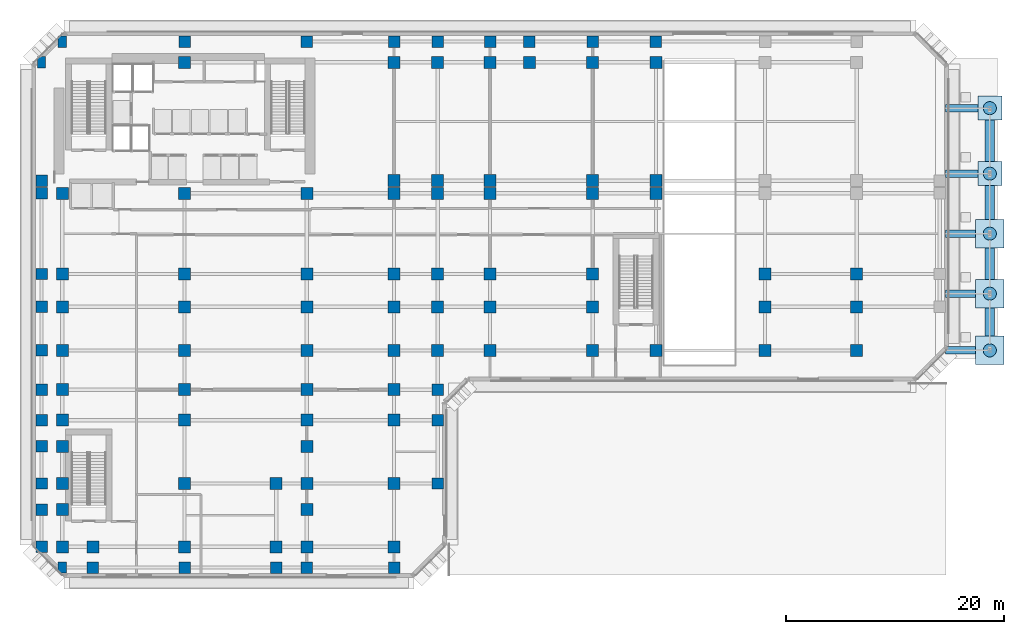
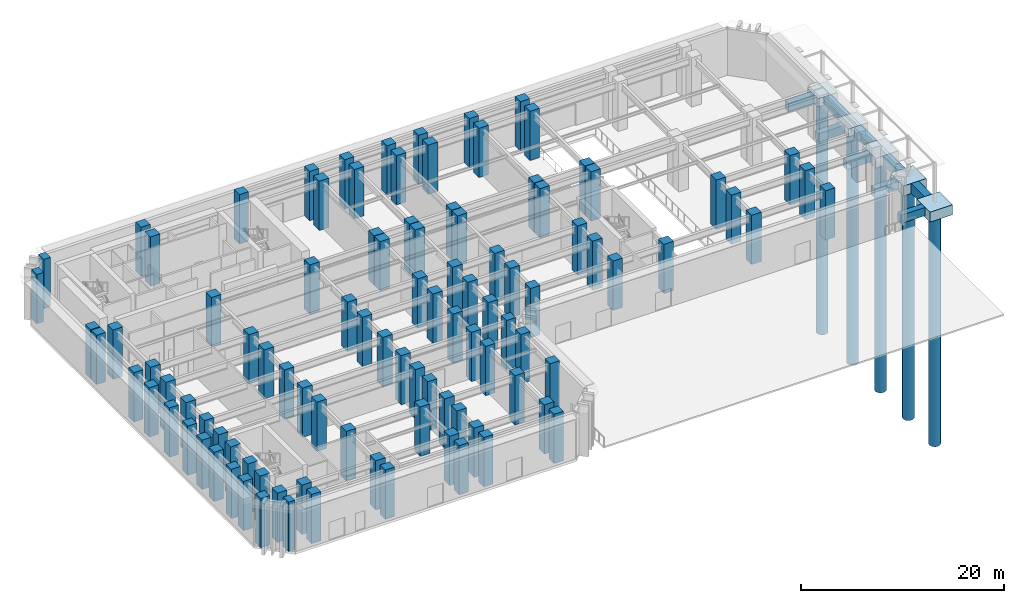
# One storey, part 1 of 18: 101 columns, 14 footings, 5 piles.
"""IFC4 building model written with IfcOpenShell, lengths in metres."""

import ifcopenshell
import ifcopenshell.guid

model = None  # the IFC model being written
_history = None  # IfcOwnerHistory: only IFC2X3 demands one
_inside = {}  # id of a spatial element -> (the spatial element, [elements in it])
_under = {}  # id of a project, library or spatial element -> (it, [spatial elements below it])
_declared = {}  # id of a project -> (the project, [libraries it declares])
_typed = {}  # id of a type object -> (the type object, [elements of that type])
_made_of = {}  # id of a material, layer set ... -> (it, [elements and type objects made of it])


def new_model(schema):
    """Start an empty IFC model of exactly this schema.

    Asked for "IFC4X3", IfcOpenShell would pick the latest addendum, in which some entities
    have other attributes; the version numbers below select the first issue.
    IFC2X3 requires an IfcOwnerHistory on every rooted entity: one is made here for all.
    """
    global model, _history
    if schema == "IFC4X3":
        model = ifcopenshell.file(schema_version=(4, 3, 0, 0))
    else:
        model = ifcopenshell.file(schema=schema)
    _inside.clear()
    _under.clear()
    _declared.clear()
    _typed.clear()
    _made_of.clear()
    _history = None
    if model.schema == "IFC2X3":
        org = make("IfcOrganization", Name="unknown")
        user = make(
            "IfcPersonAndOrganization",
            ThePerson=make("IfcPerson", FamilyName="unknown"),
            TheOrganization=org,
        )
        app = make(
            "IfcApplication",
            ApplicationDeveloper=org,
            Version="unknown",
            ApplicationFullName="unknown",
            ApplicationIdentifier="unknown",
        )
        _history = make(
            "IfcOwnerHistory",
            OwningUser=user,
            OwningApplication=app,
            ChangeAction="ADDED",
            CreationDate=0,
        )
    return model


def make(cls, **values):
    """One entity of the class cls with the attributes given. An attribute that is None is left unset."""
    return model.create_entity(
        cls, **{name: value for name, value in values.items() if value is not None}
    )


def rooted(cls, **values):
    """An entity with a GlobalId (a new one), such as an element, a storey or a relation."""
    return make(cls, GlobalId=ifcopenshell.guid.new(), OwnerHistory=_history, **values)


def si_unit(unit_type, name, prefix=None):
    """IfcSIUnit, for example si_unit("LENGTHUNIT", "METRE", prefix="MILLI")."""
    return make("IfcSIUnit", UnitType=unit_type, Prefix=prefix, Name=name)


def assignment(units):
    """IfcUnitAssignment: the units of a project."""
    return None if units is None else make("IfcUnitAssignment", Units=units)


def point(xyz):
    """IfcCartesianPoint."""
    return None if xyz is None else make("IfcCartesianPoint", Coordinates=xyz)


def direction(xyz):
    """IfcDirection."""
    return None if xyz is None else make("IfcDirection", DirectionRatios=xyz)


def frame(location, z_axis=None, x_axis=None):
    """IfcAxis2Placement3D, a coordinate frame: its origin and axes. An axis left out is left unset."""
    return make(
        "IfcAxis2Placement3D",
        Location=point(location),
        Axis=direction(z_axis),
        RefDirection=direction(x_axis),
    )


def frame_2d(location, x_axis=None):
    """IfcAxis2Placement2D, a coordinate frame in the plane: its origin and x axis."""
    return make(
        "IfcAxis2Placement2D", Location=point(location), RefDirection=direction(x_axis)
    )


def origin():
    """The frame at (0, 0, 0) with its axes left unset."""
    return frame((0.0, 0.0, 0.0))


def origin_2d():
    """The frame at (0, 0) in the plane with its x axis left unset."""
    return frame_2d((0.0, 0.0))


def place(relative_to, where):
    """IfcLocalPlacement: puts the frame where relative to a parent placement (None: the world)."""
    return make(
        "IfcLocalPlacement", PlacementRelTo=relative_to, RelativePlacement=where
    )


def context(
    kind, dimensions, precision=None, world=None, true_north=None, identifier=None
):
    """IfcGeometricRepresentationContext, for example the 3D "Model" context."""
    return make(
        "IfcGeometricRepresentationContext",
        ContextIdentifier=identifier,
        ContextType=kind,
        CoordinateSpaceDimension=dimensions,
        Precision=precision,
        WorldCoordinateSystem=world,
        TrueNorth=true_north,
    )


def subcontext(parent, identifier, kind, view, scale=None):
    """IfcGeometricRepresentationSubContext, for example "Body" below "Model"."""
    return make(
        "IfcGeometricRepresentationSubContext",
        ContextIdentifier=identifier,
        ContextType=kind,
        ParentContext=parent,
        TargetScale=scale,
        TargetView=view,
    )


def project(units=None, contexts=None):
    """IfcProject with its units and contexts."""
    return rooted(
        "IfcProject",
        Name="project",
        RepresentationContexts=contexts,
        UnitsInContext=assignment(units),
    )


def spatial(cls, under=None, at=None, **own):
    """A site, building, storey or space (cls), placed at a placement, below another one or the project."""
    s = rooted(cls, ObjectPlacement=at, **own)
    if under is not None:
        _under.setdefault(under.id(), (under, []))[1].append(s)
    return s


def profile(cls, at=None, kind="AREA", **sizes):
    """A parametric profile (cls). Its sizes go by their IFC names, for example OverallWidth=200.0."""
    return make(cls, ProfileType=kind, Position=at, **sizes)


def rectangle(**sizes):
    """IfcRectangleProfileDef."""
    return profile("IfcRectangleProfileDef", **sizes)


def circle(**sizes):
    """IfcCircleProfileDef."""
    return profile("IfcCircleProfileDef", **sizes)


def extrude(swept, where, along, depth):
    """IfcExtrudedAreaSolid: the profile swept, set in the frame where, extruded along a direction by depth."""
    return make(
        "IfcExtrudedAreaSolid",
        SweptArea=swept,
        Position=where,
        ExtrudedDirection=direction(along),
        Depth=depth,
    )


def shape(context_of_items, identifier, shape_type, items):
    """IfcShapeRepresentation: the items that make up one representation, for example the "Body"."""
    return make(
        "IfcShapeRepresentation",
        ContextOfItems=context_of_items,
        RepresentationIdentifier=identifier,
        RepresentationType=shape_type,
        Items=items,
    )


def material(Name=None, Category=None):
    """IfcMaterial."""
    return make("IfcMaterial", Name=Name, Category=Category)


def layer(
    of_material, thickness, ventilated=None, Name=None, Category=None, Priority=None
):
    """IfcMaterialLayer: one layer of a wall or slab, of a material (None: an air gap)."""
    return make(
        "IfcMaterialLayer",
        Material=of_material,
        LayerThickness=thickness,
        IsVentilated=ventilated,
        Name=Name,
        Category=Category,
        Priority=Priority,
    )


def layer_set(layers, Name=None):
    """IfcMaterialLayerSet."""
    return make("IfcMaterialLayerSet", MaterialLayers=layers, LayerSetName=Name)


def material_profile(
    of_material, cross_section, Name=None, Category=None, Priority=None
):
    """IfcMaterialProfile: a cross section and its material."""
    return make(
        "IfcMaterialProfile",
        Name=Name,
        Material=of_material,
        Profile=cross_section,
        Priority=Priority,
        Category=Category,
    )


def profile_set(profiles, Name=None, composite=None):
    """IfcMaterialProfileSet."""
    return make(
        "IfcMaterialProfileSet",
        Name=Name,
        MaterialProfiles=profiles,
        CompositeProfile=composite,
    )


def made_of(thing, what):
    """Note that an element or type object is made of a material, layer set ...; save() writes the relation."""
    if what is not None:
        _made_of.setdefault(what.id(), (what, []))[1].append(thing)
    return thing


def type_object(cls, material=None, **own):
    """A type object (cls), such as IfcWallType, which elements share."""
    return made_of(rooted(cls, **own), material)


def element(
    cls,
    number,
    at=None,
    inside=None,
    cuts=None,
    type_object=None,
    material=None,
    context=None,
    identifier="Body",
    shape_type=None,
    held_by="IfcProductDefinitionShape",
    body=None,
    shapes=None,
    **own,
):
    """One element of the class cls, such as IfcWall. Its Tag is "e" and its number.

    at: its placement. inside: the storey or other place that contains it. cuts: it is an
    opening in that element (IfcRelVoidsElement). A single representation is given by context,
    identifier, shape_type and body (its items); several are given by shapes. held_by: the class
    of the entity that holds the representations. save() writes the other relations.
    """
    e = rooted(cls, Tag="e%d" % number, ObjectPlacement=at, **own)
    if body is not None:
        shapes = [shape(context, identifier, shape_type, body)]
    if shapes is not None:
        e.Representation = make(held_by, Representations=shapes)
    if inside is not None:
        _inside.setdefault(inside.id(), (inside, []))[1].append(e)
    if cuts is not None:
        rooted(
            "IfcRelVoidsElement", RelatingBuildingElement=cuts, RelatedOpeningElement=e
        )
    if type_object is not None:
        _typed.setdefault(type_object.id(), (type_object, []))[1].append(e)
    return made_of(e, material)


def aggregate(whole, parts):
    """IfcRelAggregates: a whole, such as a stair, and the parts it consists of."""
    return rooted("IfcRelAggregates", RelatingObject=whole, RelatedObjects=parts)


def save(model, path):
    """Write the relations noted so far, then the file.

    IfcRelAggregates (storeys below a building ...), IfcRelContainedInSpatialStructure (elements
    in a storey), IfcRelDefinesByType, IfcRelAssociatesMaterial and IfcRelDeclares: one each for
    every whole, place, type object, material and project.
    """
    for whole, parts in _under.values():
        aggregate(whole, parts)
    for where, things in _inside.values():
        rooted(
            "IfcRelContainedInSpatialStructure",
            RelatedElements=things,
            RelatingStructure=where,
        )
    for kind, things in _typed.values():
        rooted("IfcRelDefinesByType", RelatedObjects=things, RelatingType=kind)
    for what, things in _made_of.values():
        rooted("IfcRelAssociatesMaterial", RelatedObjects=things, RelatingMaterial=what)
    for by, libraries in _declared.values():
        rooted("IfcRelDeclares", RelatingContext=by, RelatedDefinitions=libraries)
    model.write(path)


model = new_model("IFC4")

# Units and contexts
model_context = context("Model", 3, precision=1e-05, world=origin(), true_north=direction((0.0, 1.0)))
body_context = subcontext(model_context, "Body", "Model", "MODEL_VIEW")
ifc_project = project(units=[si_unit("LENGTHUNIT", "METRE"), si_unit("AREAUNIT", "SQUARE_METRE"), si_unit("VOLUMEUNIT", "CUBIC_METRE"), si_unit("PLANEANGLEUNIT", "RADIAN"), si_unit("MASSUNIT", "GRAM", prefix="KILO")], contexts=[model_context])

# Site, building, storey
site_placement = place(None, origin())
site = spatial("IfcSite", under=ifc_project, at=site_placement, CompositionType="ELEMENT")
building_placement = place(site_placement, origin())
building = spatial("IfcBuilding", under=site, at=building_placement, Name="Kefirva Bronze Tower", CompositionType="ELEMENT")
storey_placement = place(building_placement, origin())
storey = spatial("IfcBuildingStorey", under=building, at=storey_placement, Name="L00", CompositionType="ELEMENT", Elevation=0.0)

# Piles
ifc_material_1 = material(Name="Concrete C45/55", Category="concrete")
ifc_material_profile_1 = material_profile(ifc_material_1, circle(Radius=0.60009765625, at=origin_2d()), Name="BORED PILE D1200")
ifc_profile_set_1 = profile_set([ifc_material_profile_1], Name="Concrete C45/55")
pile_type = type_object("IfcPileType", Name="Bored Rock-Socketed Pile D1200", PredefinedType="BORED", material=ifc_profile_set_1)
for number, where, z_axis, x_axis, name in (
    (1, (85.800048828125, 18.800048828125, -1.22998046875), (0.0, 0.0, -1.0), (1.0, 0.0, 0.0), "Bored Pile P078"),
    (2, (85.800048828125, 24.0, -1.22998046875), (0.0, 0.0, -1.0), (1.0, 0.0, 0.0), "Bored Pile P079"),
    (3, (85.800048828125, 29.5, -1.22998046875), (0.0, 0.0, -1.0), (1.0, 0.0, 0.0), "Bored Pile P080"),
):
    element("IfcPile", number, at=place(storey_placement, frame(where, z_axis=z_axis, x_axis=x_axis)), inside=storey, type_object=pile_type, Name=name, PredefinedType="BORED", context=body_context, shape_type="SweptSolid", body=[
        extrude(circle(Radius=0.60009765625, at=origin_2d()), origin(), (0.0, 0.0, 1.0), 28.010009765625),
    ])
for number, where, z_axis, x_axis, name in (
    (4, (85.800048828125, 35.0, -1.030029296875), (0.0, 0.0, -1.0), (1.0, 0.0, 0.0), "Bored Pile P081"),
    (5, (85.800048828125, 41.0, -1.030029296875), (0.0, 0.0, -1.0), (1.0, 0.0, 0.0), "Bored Pile P082"),
):
    element("IfcPile", number, at=place(storey_placement, frame(where, z_axis=z_axis, x_axis=x_axis)), inside=storey, type_object=pile_type, Name=name, PredefinedType="BORED", context=body_context, shape_type="SweptSolid", body=[
        extrude(circle(Radius=0.60009765625, at=origin_2d()), origin(), (0.0, 0.0, 1.0), 28.2099609375),
    ])

# Footings
ifc_material_2 = material(Name="Concrete C50/60", Category="concrete")
ifc_material_profile_2 = material_profile(ifc_material_2, rectangle(XDim=0.85009765625, YDim=1.199951171875, at=origin_2d()), Name="RC 850x1200")
ifc_profile_set_2 = profile_set([ifc_material_profile_2], Name="Concrete C50/60")
footing_type_1 = type_object("IfcFootingType", Name="RC Perimeter Ground Beam 850x1200", PredefinedType="FOOTING_BEAM", material=ifc_profile_set_2)
footing_1_placement = place(storey_placement, frame((85.800048828125, 20.10009765625, -0.780029296875), z_axis=(0.0, 1.0, 0.0), x_axis=(-1.0, 0.0, 0.0)))
element("IfcFooting", 6, at=footing_1_placement, inside=storey, type_object=footing_type_1, Name="Plaza Ground Beam 1", PredefinedType="FOOTING_BEAM", context=body_context, shape_type="SweptSolid", body=[
    extrude(rectangle(XDim=0.85009765625, YDim=1.199951171875, at=origin_2d()), origin(), (0.0, 0.0, 1.0), 2.599853515625),
])
footing_2_placement = place(storey_placement, frame((85.800048828125, 25.300048828125, -0.780029296875), z_axis=(0.0, 1.0, 0.0), x_axis=(-1.0, 0.0, 0.0)))
element("IfcFooting", 7, at=footing_2_placement, inside=storey, type_object=footing_type_1, Name="Plaza Ground Beam 2", PredefinedType="FOOTING_BEAM", context=body_context, shape_type="SweptSolid", body=[
    extrude(rectangle(XDim=0.85009765625, YDim=1.199951171875, at=origin_2d()), origin(), (0.0, 0.0, 1.0), 2.89990234375),
])
footing_3_placement = place(storey_placement, frame((85.800048828125, 30.800048828125, -0.780029296875), z_axis=(0.0, 1.0, 0.0), x_axis=(-1.0, 0.0, 0.0)))
element("IfcFooting", 8, at=footing_3_placement, inside=storey, type_object=footing_type_1, Name="Plaza Ground Beam 3", PredefinedType="FOOTING_BEAM", context=body_context, shape_type="SweptSolid", body=[
    extrude(rectangle(XDim=0.85009765625, YDim=1.199951171875, at=origin_2d()), origin(), (0.0, 0.0, 1.0), 3.099853515625),
])
footing_4_placement = place(storey_placement, frame((85.800048828125, 36.10009765625, -0.780029296875), z_axis=(0.0, 1.0, 0.0), x_axis=(-1.0, 0.0, 0.0)))
element("IfcFooting", 9, at=footing_4_placement, inside=storey, type_object=footing_type_1, Name="Plaza Ground Beam 4", PredefinedType="FOOTING_BEAM", context=body_context, shape_type="SweptSolid", body=[
    extrude(rectangle(XDim=0.85009765625, YDim=1.199951171875, at=origin_2d()), origin(), (0.0, 0.0, 1.0), 3.7998046875),
])
ifc_layer_1 = layer(ifc_material_2, 1.199951171875, Name="Concrete C50/60")
ifc_layer_set_1 = layer_set([ifc_layer_1], Name="Concrete C50/60")
footing_type_2 = type_object("IfcFootingType", Name="RC Plaza Canopy Pad Footing 2600x2600x1200", PredefinedType="PAD_FOOTING", material=ifc_layer_set_1)
for number, where, z_axis, x_axis, name in (
    (10, (85.800048828125, 18.800048828125, -1.3798828125), (0.0, 0.0, 1.0), (1.0, 0.0, 0.0), "Plaza Canopy Pad Footing 1"),
    (11, (85.800048828125, 24.0, -1.3798828125), (0.0, 0.0, 1.0), (1.0, 0.0, 0.0), "Plaza Canopy Pad Footing 2"),
    (12, (85.800048828125, 29.5, -1.3798828125), (0.0, 0.0, 1.0), (1.0, 0.0, 0.0), "Plaza Canopy Pad Footing 3"),
):
    element("IfcFooting", number, at=place(storey_placement, frame(where, z_axis=z_axis, x_axis=x_axis)), inside=storey, type_object=footing_type_2, Name=name, PredefinedType="PAD_FOOTING", context=body_context, shape_type="SweptSolid", body=[
        extrude(rectangle(XDim=2.60009765625, YDim=2.60009765625, at=origin_2d()), origin(), (0.0, 0.0, 1.0), 1.199951171875),
    ])
ifc_layer_2 = layer(ifc_material_2, 1.0, Name="Concrete C50/60")
ifc_layer_set_2 = layer_set([ifc_layer_2], Name="Concrete C50/60")
footing_type_3 = type_object("IfcFootingType", Name="RC Plaza Feature Pad Footing 2200x2200x1000", PredefinedType="PAD_FOOTING", material=ifc_layer_set_2)
for number, where, z_axis, x_axis, name in (
    (13, (85.800048828125, 35.0, -1.179931640625), (0.0, 0.0, 1.0), (1.0, 0.0, 0.0), "Plaza Canopy Pad Footing 4"),
    (14, (85.800048828125, 41.0, -1.179931640625), (0.0, 0.0, 1.0), (1.0, 0.0, 0.0), "Plaza Canopy Pad Footing 5"),
):
    element("IfcFooting", number, at=place(storey_placement, frame(where, z_axis=z_axis, x_axis=x_axis)), inside=storey, type_object=footing_type_3, Name=name, PredefinedType="PAD_FOOTING", context=body_context, shape_type="SweptSolid", body=[
        extrude(rectangle(XDim=2.199951171875, YDim=2.199951171875, at=origin_2d()), origin(), (0.0, 0.0, 1.0), 1.0),
    ])
ifc_material_profile_3 = material_profile(ifc_material_2, rectangle(XDim=0.699951171875, YDim=1.0, at=origin_2d()), Name="RC 700x1000")
ifc_profile_set_3 = profile_set([ifc_material_profile_3], Name="Concrete C50/60")
footing_type_4 = type_object("IfcFootingType", Name="RC Tie Ground Beam 700x1000", PredefinedType="FOOTING_BEAM", material=ifc_profile_set_3)
for number, where, z_axis, x_axis, name in (
    (15, (81.75, 18.800048828125, -0.679931640625), (1.0, 0.0, 0.0), (0.0, 1.0, 0.0), "Plaza Tie Ground Beam 1"),
    (16, (81.75, 24.0, -0.679931640625), (1.0, 0.0, 0.0), (0.0, 1.0, 0.0), "Plaza Tie Ground Beam 2"),
    (17, (81.75, 29.5, -0.679931640625), (1.0, 0.0, 0.0), (0.0, 1.0, 0.0), "Plaza Tie Ground Beam 3"),
):
    element("IfcFooting", number, at=place(storey_placement, frame(where, z_axis=z_axis, x_axis=x_axis)), inside=storey, type_object=footing_type_4, Name=name, PredefinedType="FOOTING_BEAM", context=body_context, shape_type="SweptSolid", body=[
        extrude(rectangle(XDim=0.699951171875, YDim=1.0, at=origin_2d()), origin(), (0.0, 0.0, 1.0), 2.75),
    ])
for number, where, z_axis, x_axis, name in (
    (18, (81.75, 35.0, -0.679931640625), (1.0, 0.0, 0.0), (0.0, 1.0, 0.0), "Plaza Tie Ground Beam 4"),
    (19, (81.75, 41.0, -0.679931640625), (1.0, 0.0, 0.0), (0.0, 1.0, 0.0), "Plaza Tie Ground Beam 5"),
):
    element("IfcFooting", number, at=place(storey_placement, frame(where, z_axis=z_axis, x_axis=x_axis)), inside=storey, type_object=footing_type_4, Name=name, PredefinedType="FOOTING_BEAM", context=body_context, shape_type="SweptSolid", body=[
        extrude(rectangle(XDim=0.699951171875, YDim=1.0, at=origin_2d()), origin(), (0.0, 0.0, 1.0), 2.949951171875),
    ])

# Columns
ifc_material_3 = material(Name="Concrete C60/75", Category="concrete")
ifc_material_profile_4 = material_profile(ifc_material_3, rectangle(XDim=1.050048828125, YDim=1.050048828125, at=origin_2d()), Name="RC 1050x1050")
ifc_profile_set_4 = profile_set([ifc_material_profile_4], Name="Concrete C60/75")
column_type_1 = type_object("IfcColumnType", Name="RC Column 1050x1050 Ext", PredefinedType="COLUMN", material=ifc_profile_set_4)
for number, where, z_axis, x_axis, name in (
    (20, (-1.10009765625, 0.800048828125, 0.0), (0.0, 0.0, 1.0), (1.0, 0.0, 0.0), "L00 Column C-11_008"),
    (21, (-1.10009765625, 4.199951171875, 0.0), (0.0, 0.0, 1.0), (1.0, 0.0, 0.0), "L00 Column C-11_042"),
    (22, (-1.10009765625, 6.60009765625, 0.0), (0.0, 0.0, 1.0), (1.0, 0.0, 0.0), "L00 Column C-11_066"),
    (23, (-1.10009765625, 10.0, 0.0), (0.0, 0.0, 1.0), (1.0, 0.0, 0.0), "L00 Column C-11_100"),
    (24, (-1.10009765625, 12.39990234375, 0.0), (0.0, 0.0, 1.0), (1.0, 0.0, 0.0), "L00 Column C-11_124"),
    (25, (-1.10009765625, 15.199951171875, 0.0), (0.0, 0.0, 1.0), (1.0, 0.0, 0.0), "L00 Column C-11_152"),
    (26, (-1.10009765625, 18.800048828125, 0.0), (0.0, 0.0, 1.0), (1.0, 0.0, 0.0), "L00 Column C-11_188"),
    (27, (-1.10009765625, 22.800048828125, 0.0), (0.0, 0.0, 1.0), (1.0, 0.0, 0.0), "L00 Column C-11_228"),
    (28, (-1.10009765625, 25.800048828125, 0.0), (0.0, 0.0, 1.0), (1.0, 0.0, 0.0), "L00 Column C-11_258"),
    (29, (-1.10009765625, 33.199951171875, 0.0), (0.0, 0.0, 1.0), (1.0, 0.0, 0.0), "L00 Column C-11_332"),
    (30, (-1.10009765625, 34.35009765625, 0.0), (0.0, 0.0, 1.0), (1.0, 0.0, 0.0), "L00 Column C-11_344"),
    (31, (3.60009765625, -1.10009765625, 0.0), (0.0, 0.0, 1.0), (1.0, 0.0, 0.0), "L00 Column C036_-11"),
    (32, (12.0, -1.10009765625, 0.0), (0.0, 0.0, 1.0), (1.0, 0.0, 0.0), "L00 Column C120_-11"),
    (33, (12.0, 47.10009765625, 0.0), (0.0, 0.0, 1.0), (1.0, 0.0, 0.0), "L00 Column C120_471"),
    (34, (20.39990234375, -1.10009765625, 0.0), (0.0, 0.0, 1.0), (1.0, 0.0, 0.0), "L00 Column C204_-11"),
    (35, (23.199951171875, -1.10009765625, 0.0), (0.0, 0.0, 1.0), (1.0, 0.0, 0.0), "L00 Column C232_-11"),
    (36, (23.199951171875, 47.10009765625, 0.0), (0.0, 0.0, 1.0), (1.0, 0.0, 0.0), "L00 Column C232_471"),
    (37, (31.199951171875, -1.10009765625, 0.0), (0.0, 0.0, 1.0), (1.0, 0.0, 0.0), "L00 Column C312_-11"),
    (38, (31.199951171875, 47.10009765625, 0.0), (0.0, 0.0, 1.0), (1.0, 0.0, 0.0), "L00 Column C312_471"),
    (39, (35.199951171875, 6.60009765625, 0.0), (0.0, 0.0, 1.0), (1.0, 0.0, 0.0), "L00 Column C352_066"),
    (40, (35.199951171875, 12.39990234375, 0.0), (0.0, 0.0, 1.0), (1.0, 0.0, 0.0), "L00 Column C352_124"),
    (41, (35.199951171875, 15.199951171875, 0.0), (0.0, 0.0, 1.0), (1.0, 0.0, 0.0), "L00 Column C352_152"),
    (42, (35.199951171875, 47.10009765625, 0.0), (0.0, 0.0, 1.0), (1.0, 0.0, 0.0), "L00 Column C352_471"),
    (43, (40.0, 47.10009765625, 0.0), (0.0, 0.0, 1.0), (1.0, 0.0, 0.0), "L00 Column C400_471"),
    (44, (43.60009765625, 47.10009765625, 0.0), (0.0, 0.0, 1.0), (1.0, 0.0, 0.0), "L00 Column C436_471"),
    (45, (49.39990234375, 47.10009765625, 0.0), (0.0, 0.0, 1.0), (1.0, 0.0, 0.0), "L00 Column C494_471"),
    (46, (55.199951171875, 47.10009765625, 0.0), (0.0, 0.0, 1.0), (1.0, 0.0, 0.0), "L00 Column C552_471"),
):
    element("IfcColumn", number, at=place(storey_placement, frame(where, z_axis=z_axis, x_axis=x_axis)), inside=storey, type_object=column_type_1, Name=name, PredefinedType="COLUMN", context=body_context, shape_type="SweptSolid", body=[
        extrude(rectangle(XDim=1.050048828125, YDim=1.050048828125, at=origin_2d()), origin(), (0.0, 0.0, 1.0), 5.93994140625),
    ])
ifc_material_profile_5 = material_profile(ifc_material_3, rectangle(XDim=1.10009765625, YDim=1.10009765625, at=origin_2d()), Name="RC 1100x1100")
ifc_profile_set_5 = profile_set([ifc_material_profile_5], Name="Concrete C60/75")
column_type_2 = type_object("IfcColumnType", Name="RC Column 1100x1100 Int", PredefinedType="COLUMN", material=ifc_profile_set_5)
for number, where, z_axis, x_axis, name in (
    (47, (0.800048828125, 0.800048828125, 0.0), (0.0, 0.0, 1.0), (1.0, 0.0, 0.0), "L00 Column C008_008"),
    (48, (0.800048828125, 4.199951171875, 0.0), (0.0, 0.0, 1.0), (1.0, 0.0, 0.0), "L00 Column C008_042"),
    (49, (0.800048828125, 6.60009765625, 0.0), (0.0, 0.0, 1.0), (1.0, 0.0, 0.0), "L00 Column C008_066"),
    (50, (0.800048828125, 10.0, 0.0), (0.0, 0.0, 1.0), (1.0, 0.0, 0.0), "L00 Column C008_100"),
    (51, (0.800048828125, 12.39990234375, 0.0), (0.0, 0.0, 1.0), (1.0, 0.0, 0.0), "L00 Column C008_124"),
    (52, (0.800048828125, 15.199951171875, 0.0), (0.0, 0.0, 1.0), (1.0, 0.0, 0.0), "L00 Column C008_152"),
    (53, (0.800048828125, 18.800048828125, 0.0), (0.0, 0.0, 1.0), (1.0, 0.0, 0.0), "L00 Column C008_188"),
    (54, (0.800048828125, 22.800048828125, 0.0), (0.0, 0.0, 1.0), (1.0, 0.0, 0.0), "L00 Column C008_228"),
    (55, (0.800048828125, 25.800048828125, 0.0), (0.0, 0.0, 1.0), (1.0, 0.0, 0.0), "L00 Column C008_258"),
    (56, (0.800048828125, 33.199951171875, 0.0), (0.0, 0.0, 1.0), (1.0, 0.0, 0.0), "L00 Column C008_332"),
    (57, (3.60009765625, 0.800048828125, 0.0), (0.0, 0.0, 1.0), (1.0, 0.0, 0.0), "L00 Column C036_008"),
    (58, (12.0, 0.800048828125, 0.0), (0.0, 0.0, 1.0), (1.0, 0.0, 0.0), "L00 Column C120_008"),
    (59, (12.0, 6.60009765625, 0.0), (0.0, 0.0, 1.0), (1.0, 0.0, 0.0), "L00 Column C120_066"),
    (60, (12.0, 12.39990234375, 0.0), (0.0, 0.0, 1.0), (1.0, 0.0, 0.0), "L00 Column C120_124"),
    (61, (12.0, 15.199951171875, 0.0), (0.0, 0.0, 1.0), (1.0, 0.0, 0.0), "L00 Column C120_152"),
    (62, (12.0, 18.800048828125, 0.0), (0.0, 0.0, 1.0), (1.0, 0.0, 0.0), "L00 Column C120_188"),
    (63, (12.0, 22.800048828125, 0.0), (0.0, 0.0, 1.0), (1.0, 0.0, 0.0), "L00 Column C120_228"),
    (64, (12.0, 25.800048828125, 0.0), (0.0, 0.0, 1.0), (1.0, 0.0, 0.0), "L00 Column C120_258"),
    (65, (12.0, 33.199951171875, 0.0), (0.0, 0.0, 1.0), (1.0, 0.0, 0.0), "L00 Column C120_332"),
    (66, (12.0, 45.199951171875, 0.0), (0.0, 0.0, 1.0), (1.0, 0.0, 0.0), "L00 Column C120_452"),
    (67, (20.39990234375, 0.800048828125, 0.0), (0.0, 0.0, 1.0), (1.0, 0.0, 0.0), "L00 Column C204_008"),
    (68, (20.39990234375, 6.60009765625, 0.0), (0.0, 0.0, 1.0), (1.0, 0.0, 0.0), "L00 Column C204_066"),
    (69, (23.199951171875, 0.800048828125, 0.0), (0.0, 0.0, 1.0), (1.0, 0.0, 0.0), "L00 Column C232_008"),
    (70, (23.199951171875, 4.199951171875, 0.0), (0.0, 0.0, 1.0), (1.0, 0.0, 0.0), "L00 Column C232_042"),
    (71, (23.199951171875, 6.60009765625, 0.0), (0.0, 0.0, 1.0), (1.0, 0.0, 0.0), "L00 Column C232_066"),
    (72, (23.199951171875, 10.0, 0.0), (0.0, 0.0, 1.0), (1.0, 0.0, 0.0), "L00 Column C232_100"),
    (73, (23.199951171875, 12.39990234375, 0.0), (0.0, 0.0, 1.0), (1.0, 0.0, 0.0), "L00 Column C232_124"),
    (74, (23.199951171875, 15.199951171875, 0.0), (0.0, 0.0, 1.0), (1.0, 0.0, 0.0), "L00 Column C232_152"),
    (75, (23.199951171875, 18.800048828125, 0.0), (0.0, 0.0, 1.0), (1.0, 0.0, 0.0), "L00 Column C232_188"),
    (76, (23.199951171875, 22.800048828125, 0.0), (0.0, 0.0, 1.0), (1.0, 0.0, 0.0), "L00 Column C232_228"),
    (77, (23.199951171875, 25.800048828125, 0.0), (0.0, 0.0, 1.0), (1.0, 0.0, 0.0), "L00 Column C232_258"),
    (78, (23.199951171875, 33.199951171875, 0.0), (0.0, 0.0, 1.0), (1.0, 0.0, 0.0), "L00 Column C232_332"),
    (79, (31.199951171875, 0.800048828125, 0.0), (0.0, 0.0, 1.0), (1.0, 0.0, 0.0), "L00 Column C312_008"),
    (80, (31.199951171875, 6.60009765625, 0.0), (0.0, 0.0, 1.0), (1.0, 0.0, 0.0), "L00 Column C312_066"),
    (81, (31.199951171875, 12.39990234375, 0.0), (0.0, 0.0, 1.0), (1.0, 0.0, 0.0), "L00 Column C312_124"),
    (82, (31.199951171875, 15.199951171875, 0.0), (0.0, 0.0, 1.0), (1.0, 0.0, 0.0), "L00 Column C312_152"),
    (83, (31.199951171875, 18.800048828125, 0.0), (0.0, 0.0, 1.0), (1.0, 0.0, 0.0), "L00 Column C312_188"),
    (84, (31.199951171875, 22.800048828125, 0.0), (0.0, 0.0, 1.0), (1.0, 0.0, 0.0), "L00 Column C312_228"),
    (85, (31.199951171875, 25.800048828125, 0.0), (0.0, 0.0, 1.0), (1.0, 0.0, 0.0), "L00 Column C312_258"),
    (86, (31.199951171875, 33.199951171875, 0.0), (0.0, 0.0, 1.0), (1.0, 0.0, 0.0), "L00 Column C312_332"),
    (87, (31.199951171875, 34.35009765625, 0.0), (0.0, 0.0, 1.0), (1.0, 0.0, 0.0), "L00 Column C312_344"),
    (88, (31.199951171875, 45.199951171875, 0.0), (0.0, 0.0, 1.0), (1.0, 0.0, 0.0), "L00 Column C312_452"),
    (89, (35.199951171875, 18.800048828125, 0.0), (0.0, 0.0, 1.0), (1.0, 0.0, 0.0), "L00 Column C352_188"),
    (90, (35.199951171875, 22.800048828125, 0.0), (0.0, 0.0, 1.0), (1.0, 0.0, 0.0), "L00 Column C352_228"),
    (91, (35.199951171875, 25.800048828125, 0.0), (0.0, 0.0, 1.0), (1.0, 0.0, 0.0), "L00 Column C352_258"),
    (92, (35.199951171875, 33.199951171875, 0.0), (0.0, 0.0, 1.0), (1.0, 0.0, 0.0), "L00 Column C352_332"),
    (93, (35.199951171875, 34.35009765625, 0.0), (0.0, 0.0, 1.0), (1.0, 0.0, 0.0), "L00 Column C352_344"),
    (94, (35.199951171875, 45.199951171875, 0.0), (0.0, 0.0, 1.0), (1.0, 0.0, 0.0), "L00 Column C352_452"),
    (95, (40.0, 18.800048828125, 0.0), (0.0, 0.0, 1.0), (1.0, 0.0, 0.0), "L00 Column C400_188"),
    (96, (40.0, 22.800048828125, 0.0), (0.0, 0.0, 1.0), (1.0, 0.0, 0.0), "L00 Column C400_228"),
    (97, (40.0, 25.800048828125, 0.0), (0.0, 0.0, 1.0), (1.0, 0.0, 0.0), "L00 Column C400_258"),
    (98, (40.0, 33.199951171875, 0.0), (0.0, 0.0, 1.0), (1.0, 0.0, 0.0), "L00 Column C400_332"),
    (99, (40.0, 34.35009765625, 0.0), (0.0, 0.0, 1.0), (1.0, 0.0, 0.0), "L00 Column C400_344"),
    (100, (40.0, 45.199951171875, 0.0), (0.0, 0.0, 1.0), (1.0, 0.0, 0.0), "L00 Column C400_452"),
    (101, (43.60009765625, 45.199951171875, 0.0), (0.0, 0.0, 1.0), (1.0, 0.0, 0.0), "L00 Column C436_452"),
    (102, (49.39990234375, 18.800048828125, 0.0), (0.0, 0.0, 1.0), (1.0, 0.0, 0.0), "L00 Column C494_188"),
    (103, (49.39990234375, 22.800048828125, 0.0), (0.0, 0.0, 1.0), (1.0, 0.0, 0.0), "L00 Column C494_228"),
    (104, (49.39990234375, 25.800048828125, 0.0), (0.0, 0.0, 1.0), (1.0, 0.0, 0.0), "L00 Column C494_258"),
    (105, (49.39990234375, 33.199951171875, 0.0), (0.0, 0.0, 1.0), (1.0, 0.0, 0.0), "L00 Column C494_332"),
    (106, (49.39990234375, 34.35009765625, 0.0), (0.0, 0.0, 1.0), (1.0, 0.0, 0.0), "L00 Column C494_344"),
    (107, (49.39990234375, 45.199951171875, 0.0), (0.0, 0.0, 1.0), (1.0, 0.0, 0.0), "L00 Column C494_452"),
    (108, (55.199951171875, 18.800048828125, 0.0), (0.0, 0.0, 1.0), (1.0, 0.0, 0.0), "L00 Column C552_188"),
    (109, (55.199951171875, 33.199951171875, 0.0), (0.0, 0.0, 1.0), (1.0, 0.0, 0.0), "L00 Column C552_332"),
    (110, (55.199951171875, 34.35009765625, 0.0), (0.0, 0.0, 1.0), (1.0, 0.0, 0.0), "L00 Column C552_344"),
    (111, (55.199951171875, 45.199951171875, 0.0), (0.0, 0.0, 1.0), (1.0, 0.0, 0.0), "L00 Column C552_452"),
    (112, (65.199951171875, 18.800048828125, 0.0), (0.0, 0.0, 1.0), (1.0, 0.0, 0.0), "L00 Column C652_188"),
    (113, (65.199951171875, 22.800048828125, 0.0), (0.0, 0.0, 1.0), (1.0, 0.0, 0.0), "L00 Column C652_228"),
    (114, (65.199951171875, 25.800048828125, 0.0), (0.0, 0.0, 1.0), (1.0, 0.0, 0.0), "L00 Column C652_258"),
    (115, (73.60009765625, 18.800048828125, 0.0), (0.0, 0.0, 1.0), (1.0, 0.0, 0.0), "L00 Column C736_188"),
    (116, (73.60009765625, 22.800048828125, 0.0), (0.0, 0.0, 1.0), (1.0, 0.0, 0.0), "L00 Column C736_228"),
    (117, (73.60009765625, 25.800048828125, 0.0), (0.0, 0.0, 1.0), (1.0, 0.0, 0.0), "L00 Column C736_258"),
):
    element("IfcColumn", number, at=place(storey_placement, frame(where, z_axis=z_axis, x_axis=x_axis)), inside=storey, type_object=column_type_2, Name=name, PredefinedType="COLUMN", context=body_context, shape_type="SweptSolid", body=[
        extrude(rectangle(XDim=1.10009765625, YDim=1.10009765625, at=origin_2d()), origin(), (0.0, 0.0, 1.0), 5.93994140625),
    ])
ifc_material_profile_6 = material_profile(ifc_material_3, rectangle(XDim=0.760009765625, YDim=1.0400390625, at=origin_2d()), Name="RC 760x1040")
ifc_profile_set_6 = profile_set([ifc_material_profile_6], Name="Concrete C60/75")
column_type_3 = type_object("IfcColumnType", Name="RC Corner Buttress Pilaster 1040x760", PredefinedType="PILASTER", material=ifc_profile_set_6)
for number, where, z_axis, x_axis, name in (
    (118, (-1.10009765625, 45.199951171875, 0.0), (0.0, 0.0, 1.0), (1.0, 0.0, 0.0), "L00 Column C-11_452"),
    (119, (0.800048828125, -1.10009765625, 0.0), (0.0, 0.0, 1.0), (1.0, 0.0, 0.0), "L00 Column C008_-11"),
    (120, (0.800048828125, 47.10009765625, 0.0), (0.0, 0.0, 1.0), (1.0, 0.0, 0.0), "L00 Column C008_471"),
):
    element("IfcColumn", number, at=place(storey_placement, frame(where, z_axis=z_axis, x_axis=x_axis)), inside=storey, type_object=column_type_3, Name=name, PredefinedType="PILASTER", context=body_context, shape_type="SweptSolid", body=[
        extrude(rectangle(XDim=0.760009765625, YDim=1.0400390625, at=origin_2d()), origin(), (0.0, 0.0, 1.0), 5.93994140625),
    ])

save(model, "model.ifc")
